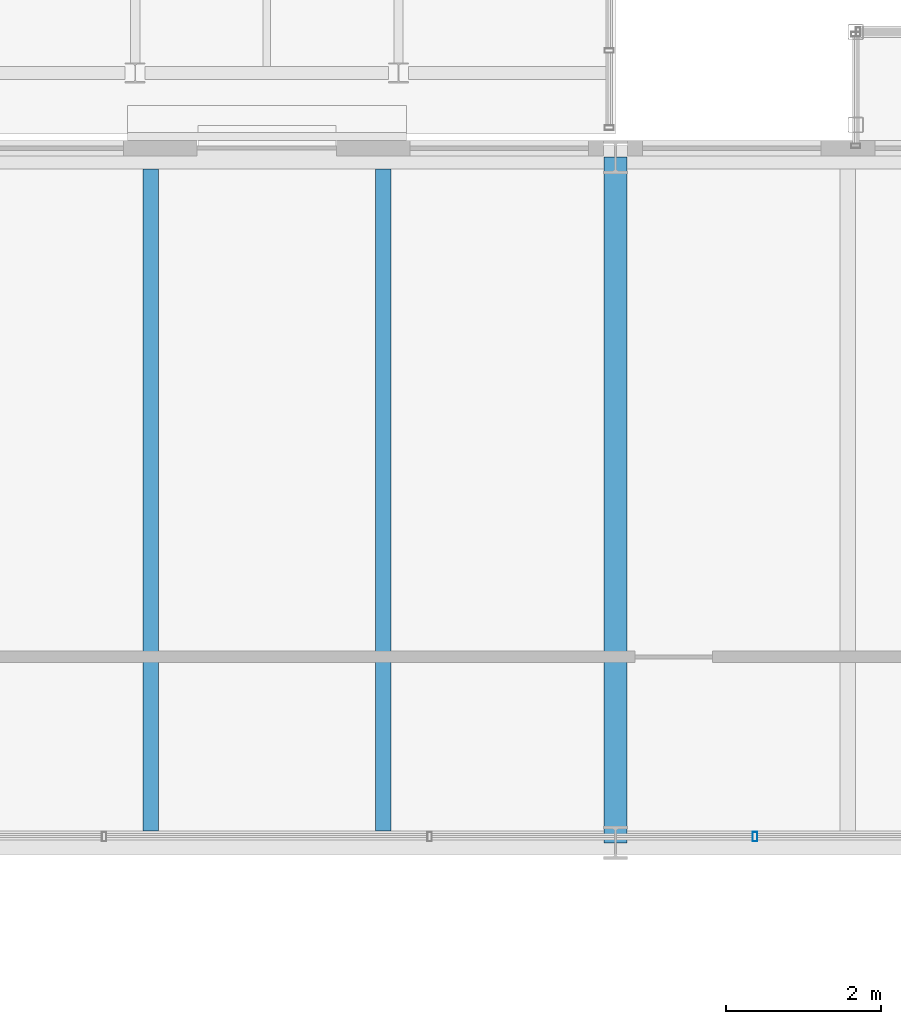
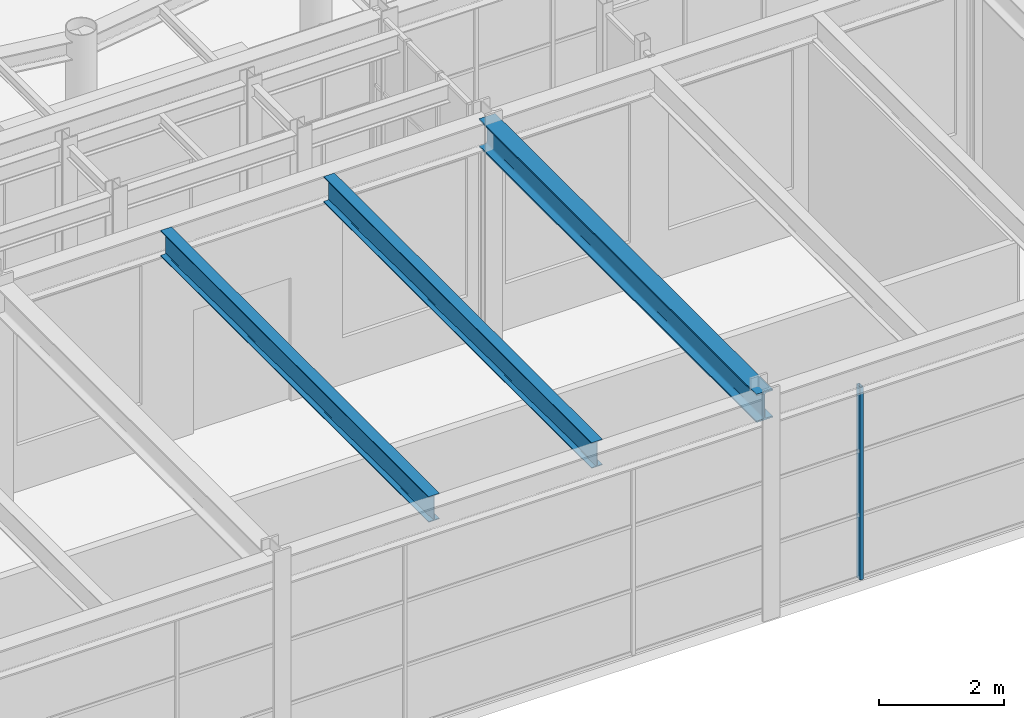
# One storey, part 47 of 149: 3 beams, 1 member, 1 element without a shape of its own.
"""IFC4 building model written with IfcOpenShell, lengths in metres."""

from ifc_helpers import new_model, si_unit, direction, frame, origin, origin_2d, place, context, subcontext, project, spatial, hollow_rectangle, i_section, extrude, material, material_profile, profile_set, type_object, element, aggregate, save


model = new_model("IFC4")

# Units and contexts
model_context = context("Model", 3, precision=1e-05, world=origin(), true_north=direction((0.0, 1.0)))
body_context = subcontext(model_context, "Body", "Model", "MODEL_VIEW")
ifc_project = project(units=[si_unit("LENGTHUNIT", "METRE"), si_unit("AREAUNIT", "SQUARE_METRE"), si_unit("VOLUMEUNIT", "CUBIC_METRE"), si_unit("PLANEANGLEUNIT", "RADIAN"), si_unit("MASSUNIT", "GRAM", prefix="KILO")], contexts=[model_context])

# Site, building, storey
site_placement = place(None, origin())
site = spatial("IfcSite", under=ifc_project, at=site_placement, CompositionType="ELEMENT")
building_placement = place(site_placement, origin())
building = spatial("IfcBuilding", under=site, at=building_placement, Name="Kallimachos Central Library", CompositionType="ELEMENT")
storey_placement = place(building_placement, frame((0.0, 0.0, 9.89990234375)))
storey = spatial("IfcBuildingStorey", under=building, at=storey_placement, Name="L02", CompositionType="ELEMENT", Elevation=9.89990234375)

# Curtain wall, member
ifc_material_1 = material(Name="Aluminium and laminated glass", Category="aluminium")
curtain_wall_type = type_object("IfcCurtainWallType", Name="Atrium glazed screen", PredefinedType="NOTDEFINED", material=ifc_material_1)
curtain_wall_placement = place(storey_placement, origin())
curtain_wall = element("IfcCurtainWall", 1, at=curtain_wall_placement, inside=storey, type_object=curtain_wall_type, Name="L02 atrium screen N", PredefinedType="NOTDEFINED")
ifc_material_2 = material(Name="Anodised aluminium", Category="aluminium")
ifc_material_profile_1 = material_profile(ifc_material_2, hollow_rectangle(XDim=0.06005859375, YDim=0.1201171875, WallThickness=0.00390625, at=origin_2d()), Name="ALU MULLION 60x120")
ifc_profile_set_1 = profile_set([ifc_material_profile_1], Name="Anodised aluminium")
member_type = type_object("IfcMemberType", Name="Atrium screen mullion", PredefinedType="MULLION", material=ifc_profile_set_1)
member_placement = place(storey_placement, frame((94.300048828125, 75.080078125, 0.0), z_axis=(0.0, 0.0, 1.0), x_axis=(1.0, 0.0, 0.0)))
member = element("IfcMember", 2, at=member_placement, type_object=member_type, Name="CW mullion 5", PredefinedType="MULLION", context=body_context, shape_type="SweptSolid", body=[
    extrude(hollow_rectangle(XDim=0.06005859375, YDim=0.1201171875, WallThickness=0.00390625, at=origin_2d()), origin(), (0.0, 0.0, 1.0), 3.75),
])
aggregate(curtain_wall, [member])

# Beams
ifc_material_3 = material(Name="Steel S355J2", Category="steel")
ifc_material_profile_2 = material_profile(ifc_material_3, i_section(OverallWidth=0.300048828125, OverallDepth=0.550048828125, WebThickness=0.014892578125, FlangeThickness=0.029052734375, FilletRadius=0.027099609375, at=origin_2d()), Name="HEB 550")
ifc_profile_set_2 = profile_set([ifc_material_profile_2], Name="Steel S355J2")
beam_type_1 = type_object("IfcBeamType", Name="HEB 550 beam", PredefinedType="BEAM", material=ifc_profile_set_2)
beam_placement = place(storey_placement, frame((92.5, 75.0, 4.025146484375), z_axis=(0.0, 1.0, 0.0), x_axis=(-1.0, 0.0, 0.0)))
element("IfcBeam", 3, at=beam_placement, inside=storey, type_object=beam_type_1, Name="V4-BEM-L02-012", PredefinedType="BEAM", context=body_context, shape_type="SweptSolid", body=[
    extrude(i_section(OverallWidth=0.300048828125, OverallDepth=0.550048828125, WebThickness=0.014892578125, FlangeThickness=0.029052734375, FilletRadius=0.027099609375, at=origin_2d()), origin(), (0.0, 0.0, 1.0), 8.85009765625),
])
ifc_material_4 = material(Name="Steel S355J2", Category="steel")
ifc_material_profile_3 = material_profile(ifc_material_4, i_section(OverallWidth=0.199951171875, OverallDepth=0.5, WebThickness=0.01025390625, FlangeThickness=0.01611328125, FilletRadius=0.02099609375, at=origin_2d()), Name="IPE 500")
ifc_profile_set_3 = profile_set([ifc_material_profile_3], Name="Steel S355J2")
beam_type_2 = type_object("IfcBeamType", Name="IPE 500 beam", PredefinedType="BEAM", material=ifc_profile_set_3)
for number, where, z_axis, x_axis, name in (
    (4, (86.5, 75.14990234375, 4.050048828125), (0.0, 1.0, 0.0), (-1.0, 0.0, 0.0), "V4-BEM-L02-017"),
    (5, (89.5, 75.14990234375, 4.050048828125), (0.0, 1.0, 0.0), (-1.0, 0.0, 0.0), "V4-BEM-L02-018"),
):
    element("IfcBeam", number, at=place(storey_placement, frame(where, z_axis=z_axis, x_axis=x_axis)), inside=storey, type_object=beam_type_2, Name=name, PredefinedType="BEAM", context=body_context, shape_type="SweptSolid", body=[
        extrude(i_section(OverallWidth=0.199951171875, OverallDepth=0.5, WebThickness=0.01025390625, FlangeThickness=0.01611328125, FilletRadius=0.02099609375, at=origin_2d()), origin(), (0.0, 0.0, 1.0), 8.550048828125),
    ])

save(model, "model.ifc")
